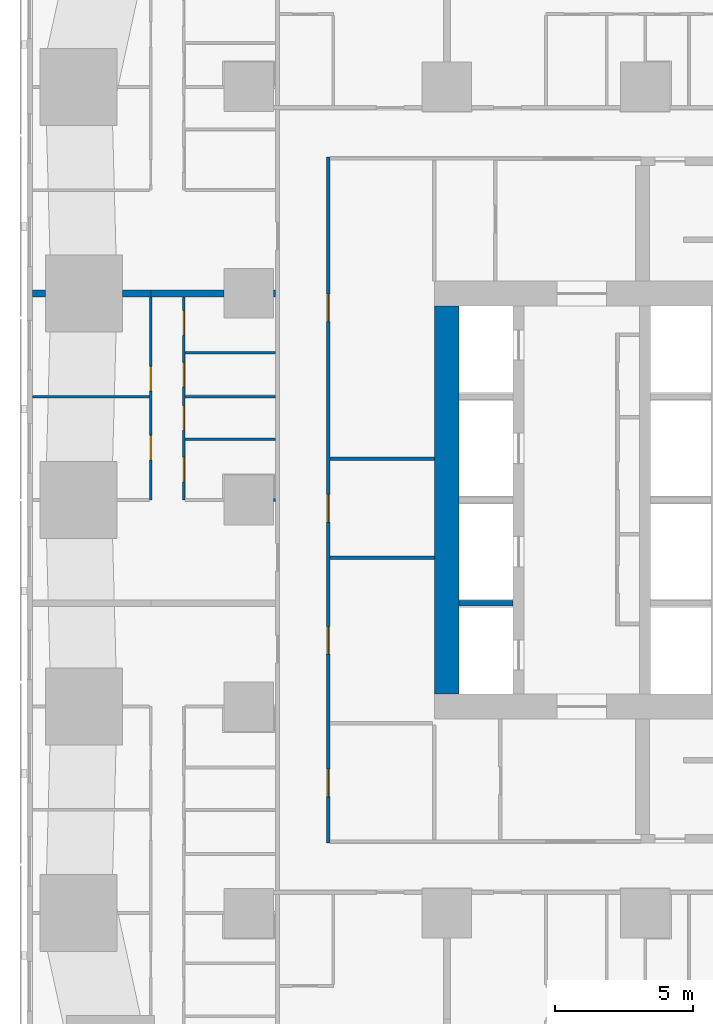
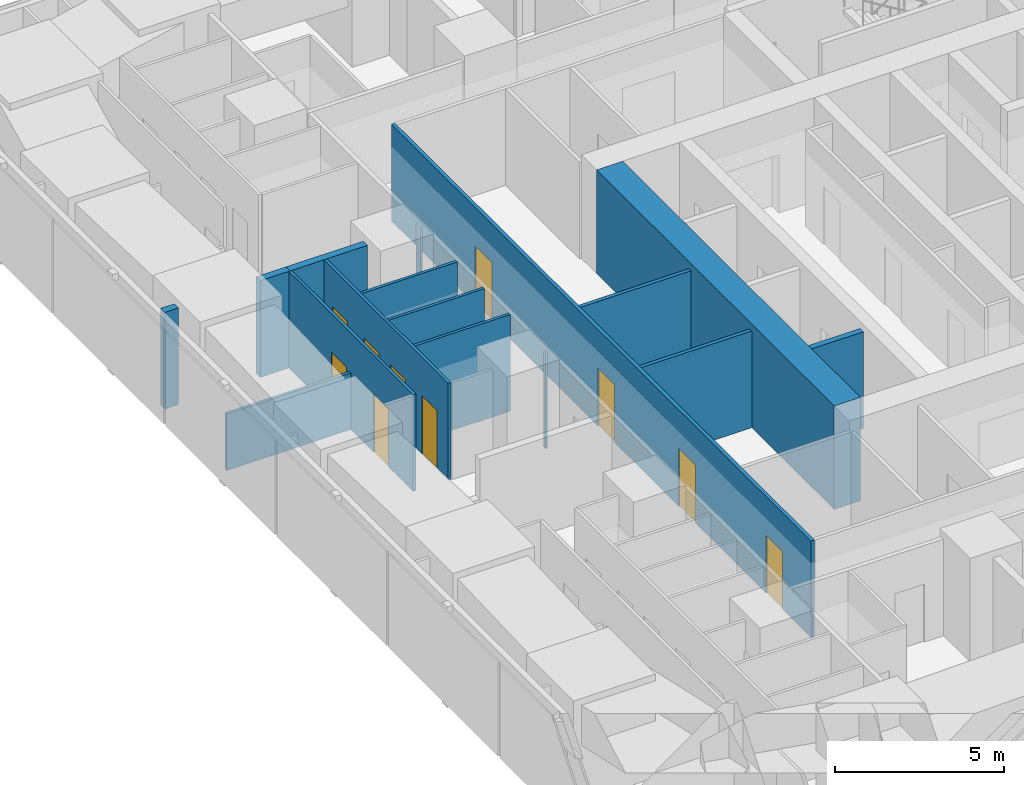
# One storey, part 7 of 18: 16 walls, 10 doors, 10 openings.
"""IFC4 building model written with IfcOpenShell, lengths in metres."""

from ifc_helpers import new_model, si_unit, direction, frame, frame_2d, origin, place, context, subcontext, project, spatial, rectangle, extrude, material, layer, layer_set, type_object, element, fill, save


model = new_model("IFC4")

# Units and contexts
model_context = context("Model", 3, precision=1e-05, world=origin(), true_north=direction((0.0, 1.0)))
body_context = subcontext(model_context, "Body", "Model", "MODEL_VIEW")
ifc_project = project(units=[si_unit("LENGTHUNIT", "METRE"), si_unit("AREAUNIT", "SQUARE_METRE"), si_unit("VOLUMEUNIT", "CUBIC_METRE"), si_unit("PLANEANGLEUNIT", "RADIAN"), si_unit("MASSUNIT", "GRAM", prefix="KILO")], contexts=[model_context])

# Site, building, storey
site_placement = place(None, origin())
site = spatial("IfcSite", under=ifc_project, at=site_placement, CompositionType="ELEMENT")
building_placement = place(site_placement, origin())
building = spatial("IfcBuilding", under=site, at=building_placement, Name="Sheger Commons Tower", CompositionType="ELEMENT")
storey_placement = place(building_placement, frame((0.0, 0.0, 35.0)))
storey = spatial("IfcBuildingStorey", under=building, at=storey_placement, Name="L08", CompositionType="ELEMENT", Elevation=35.0)

# Walls
ifc_material_1 = material(Name="Concrete C50/60", Category="concrete")
ifc_layer_1 = layer(ifc_material_1, 0.89990234375)
ifc_layer_set_1 = layer_set([ifc_layer_1], Name="CORE WALL 900")
wall_type_1 = type_object("IfcWallType", Name="CORE WALL 900", PredefinedType="SHEAR", material=ifc_layer_set_1)
wall_1_placement = place(storey_placement, frame((14.39990234375, 15.449951171875, 0.0), z_axis=(0.0, 0.0, 1.0), x_axis=(0.0, 1.0, 0.0)))
element("IfcWall", 1, at=wall_1_placement, inside=storey, type_object=wall_type_1, Name="Core wall west L08", PredefinedType="SHEAR", context=body_context, shape_type="SweptSolid", body=[
    extrude(rectangle(XDim=14.10009765625, YDim=0.89990234375, at=frame_2d((7.050048828125, 0.0))), origin(), (0.0, 0.0, 1.0), 3.75),
])
ifc_material_2 = material(Name="Dense concrete block masonry, plastered both sides (separating wall between flats)", Category="masonry")
ifc_layer_2 = layer(ifc_material_2, 0.25)
ifc_layer_set_2 = layer_set([ifc_layer_2], Name="DEMISING WALL 250")
wall_type_2 = type_object("IfcWallType", Name="DEMISING WALL 250", PredefinedType="SOLIDWALL", material=ifc_layer_set_2)
wall_2_placement = place(storey_placement, frame((-0.64990234375, 30.0, 0.0), z_axis=(0.0, 0.0, 1.0), x_axis=(1.0, 0.0, 0.0)))
element("IfcWall", 2, at=wall_2_placement, inside=storey, type_object=wall_type_2, Name="Demising wall L08", PredefinedType="SOLIDWALL", context=body_context, shape_type="SweptSolid", body=[
    extrude(rectangle(XDim=0.473876953125, YDim=0.25, at=frame_2d((0.23681640625, 0.0))), origin(), (0.0, 0.0, 1.0), 3.5),
])
wall_3_placement = place(storey_placement, frame((2.6259765625, 30.0, 0.0), z_axis=(0.0, 0.0, 1.0), x_axis=(1.0, 0.0, 0.0)))
element("IfcWall", 3, at=wall_3_placement, inside=storey, type_object=wall_type_2, Name="Demising wall L08", PredefinedType="SOLIDWALL", context=body_context, shape_type="SweptSolid", body=[
    extrude(rectangle(XDim=1.02392578125, YDim=0.25, at=frame_2d((0.511962890625, 0.0))), origin(), (0.0, 0.0, 1.0), 3.5),
])
wall_4_placement = place(storey_placement, frame((3.64990234375, 30.0, 0.0), z_axis=(0.0, 0.0, 1.0), x_axis=(1.0, 0.0, 0.0)))
element("IfcWall", 4, at=wall_4_placement, inside=storey, type_object=wall_type_2, Name="Demising wall L08", PredefinedType="SOLIDWALL", context=body_context, shape_type="SweptSolid", body=[
    extrude(rectangle(XDim=2.649169921875, YDim=0.25, at=frame_2d((1.32470703125, 0.0))), origin(), (0.0, 0.0, 1.0), 3.5),
])
wall_5_placement = place(storey_placement, frame((8.10107421875, 30.0, 0.0), z_axis=(0.0, 0.0, 1.0), x_axis=(1.0, 0.0, 0.0)))
element("IfcWall", 5, at=wall_5_placement, inside=storey, type_object=wall_type_2, Name="Demising wall L08", PredefinedType="SOLIDWALL", context=body_context, shape_type="SweptSolid", body=[
    extrude(rectangle(XDim=0.073974609375, YDim=0.25, at=frame_2d((0.037109375, 0.0))), origin(), (0.0, 0.0, 1.0), 3.5),
])

# Wall, openings, doors
ifc_material_3 = material(Name="Gypsum board on steel studs", Category="steel")
ifc_layer_3 = layer(ifc_material_3, 0.10009765625)
ifc_layer_set_3 = layer_set([ifc_layer_3], Name="PARTITION 100")
wall_type_3 = type_object("IfcWallType", Name="PARTITION 100", PredefinedType="PARTITIONING", material=ifc_layer_set_3)
wall_6_placement = place(storey_placement, frame((3.64990234375, 22.5, 0.0), z_axis=(0.0, 0.0, 1.0), x_axis=(0.0, 1.0, 0.0)))
wall_6 = element("IfcWall", 6, at=wall_6_placement, inside=storey, type_object=wall_type_3, Name="Partition L08", PredefinedType="PARTITIONING", context=body_context, shape_type="SweptSolid", body=[
    extrude(rectangle(XDim=7.375, YDim=0.10009765625, at=frame_2d((3.6875, 0.0))), origin(), (0.0, 0.0, 1.0), 3.5),
])
opening_1_placement = place(wall_6_placement, frame((1.449951171875, 0.0, 0.0)))
opening_1 = element("IfcOpeningElement", 7, at=opening_1_placement, cuts=wall_6, Name="Opening D2", PredefinedType="OPENING", context=body_context, shape_type="SweptSolid", body=[
    extrude(rectangle(XDim=0.89990234375, YDim=2.10009765625, at=frame_2d((0.449951171875, 1.050048828125))), frame((0.0, 0.06005859375, 0.0), z_axis=(0.0, -1.0, 0.0), x_axis=(1.0, 0.0, 0.0)), (0.0, 0.0, 1.0), 0.1201171875),
])
opening_2_placement = place(wall_6_placement, frame((3.949951171875, 0.0, 0.0)))
opening_2 = element("IfcOpeningElement", 8, at=opening_2_placement, cuts=wall_6, Name="Opening D2", PredefinedType="OPENING", context=body_context, shape_type="SweptSolid", body=[
    extrude(rectangle(XDim=0.89990234375, YDim=2.10009765625, at=frame_2d((0.449951171875, 1.050048828125))), frame((0.0, 0.06005859375, 0.0), z_axis=(0.0, -1.0, 0.0), x_axis=(1.0, 0.0, 0.0)), (0.0, 0.0, 1.0), 0.1201171875),
])
ifc_material_4 = material(Name="Timber door set", Category="wood")
door_type_1 = type_object("IfcDoorType", Name="INTERNAL DOOR 900x2100", OperationType="NOTDEFINED", PredefinedType="DOOR", material=ifc_material_4)
door_1_placement = place(opening_1_placement, origin())
door_1 = element("IfcDoor", 9, at=door_1_placement, inside=storey, type_object=door_type_1, Name="Main bedroom door", OperationType="SINGLE_SWING_LEFT", OverallHeight=2.10009765625, OverallWidth=0.89990234375, PredefinedType="DOOR", context=body_context, shape_type="SweptSolid", body=[
    extrude(rectangle(XDim=0.89990234375, YDim=2.10009765625, at=frame_2d((0.449951171875, 1.050048828125))), frame((0.0, 0.02490234375, 0.0), z_axis=(0.0, -1.0, 0.0), x_axis=(1.0, 0.0, 0.0)), (0.0, 0.0, 1.0), 0.050048828125),
])
fill(opening_1, door_1)
door_2_placement = place(opening_2_placement, origin())
door_2 = element("IfcDoor", 10, at=door_2_placement, inside=storey, type_object=door_type_1, Name="Bedroom 2 door", OperationType="SINGLE_SWING_LEFT", OverallHeight=2.10009765625, OverallWidth=0.89990234375, PredefinedType="DOOR", context=body_context, shape_type="SweptSolid", body=[
    extrude(rectangle(XDim=0.89990234375, YDim=2.10009765625, at=frame_2d((0.449951171875, 1.050048828125))), frame((0.0, 0.02490234375, 0.0), z_axis=(0.0, -1.0, 0.0), x_axis=(1.0, 0.0, 0.0)), (0.0, 0.0, 1.0), 0.050048828125),
])
fill(opening_2, door_2)

wall_7_placement = place(storey_placement, frame((4.85009765625, 22.5, 0.0), z_axis=(0.0, 0.0, 1.0), x_axis=(0.0, 1.0, 0.0)))
wall_7 = element("IfcWall", 11, at=wall_7_placement, inside=storey, type_object=wall_type_3, Name="Partition L08", PredefinedType="PARTITIONING", context=body_context, shape_type="SweptSolid", body=[
    extrude(rectangle(XDim=7.375, YDim=0.10009765625, at=frame_2d((3.6875, 0.0))), origin(), (0.0, 0.0, 1.0), 3.5),
])
opening_3_placement = place(wall_7_placement, frame((0.655029296875, 0.0, 0.0)))
opening_3 = element("IfcOpeningElement", 12, at=opening_3_placement, cuts=wall_7, Name="Opening D2", PredefinedType="OPENING", context=body_context, shape_type="SweptSolid", body=[
    extrude(rectangle(XDim=0.89990234375, YDim=2.10009765625, at=frame_2d((0.449951171875, 1.050048828125))), frame((0.0, 0.06005859375, 0.0), z_axis=(0.0, -1.0, 0.0), x_axis=(1.0, 0.0, 0.0)), (0.0, 0.0, 1.0), 0.1201171875),
])
opening_4_placement = place(wall_7_placement, frame((4.10009765625, 0.0, 0.0)))
opening_4 = element("IfcOpeningElement", 13, at=opening_4_placement, cuts=wall_7, Name="Opening D2", PredefinedType="OPENING", context=body_context, shape_type="SweptSolid", body=[
    extrude(rectangle(XDim=0.89990234375, YDim=2.10009765625, at=frame_2d((0.449951171875, 1.050048828125))), frame((0.0, 0.06005859375, 0.0), z_axis=(0.0, -1.0, 0.0), x_axis=(1.0, 0.0, 0.0)), (0.0, 0.0, 1.0), 0.1201171875),
])
opening_5_placement = place(wall_7_placement, frame((2.530029296875, 0.0, 0.0)))
opening_5 = element("IfcOpeningElement", 14, at=opening_5_placement, cuts=wall_7, Name="Opening D2", PredefinedType="OPENING", context=body_context, shape_type="SweptSolid", body=[
    extrude(rectangle(XDim=0.89990234375, YDim=2.10009765625, at=frame_2d((0.449951171875, 1.050048828125))), frame((0.0, 0.06005859375, 0.0), z_axis=(0.0, -1.0, 0.0), x_axis=(1.0, 0.0, 0.0)), (0.0, 0.0, 1.0), 0.1201171875),
])
opening_6_placement = place(wall_7_placement, frame((5.97509765625, 0.0, 0.0)))
opening_6 = element("IfcOpeningElement", 15, at=opening_6_placement, cuts=wall_7, Name="Opening D2", PredefinedType="OPENING", context=body_context, shape_type="SweptSolid", body=[
    extrude(rectangle(XDim=0.89990234375, YDim=2.10009765625, at=frame_2d((0.449951171875, 1.050048828125))), frame((0.0, 0.06005859375, 0.0), z_axis=(0.0, -1.0, 0.0), x_axis=(1.0, 0.0, 0.0)), (0.0, 0.0, 1.0), 0.1201171875),
])
door_3_placement = place(opening_3_placement, origin())
door_3 = element("IfcDoor", 16, at=door_3_placement, inside=storey, type_object=door_type_1, Name="Bathroom door", OperationType="SINGLE_SWING_RIGHT", OverallHeight=2.10009765625, OverallWidth=0.89990234375, PredefinedType="DOOR", context=body_context, shape_type="SweptSolid", body=[
    extrude(rectangle(XDim=0.89990234375, YDim=2.10009765625, at=frame_2d((0.449951171875, 1.050048828125))), frame((0.0, 0.02490234375, 0.0), z_axis=(0.0, -1.0, 0.0), x_axis=(1.0, 0.0, 0.0)), (0.0, 0.0, 1.0), 0.050048828125),
])
fill(opening_3, door_3)
door_4_placement = place(opening_4_placement, origin())
door_4 = element("IfcDoor", 17, at=door_4_placement, inside=storey, type_object=door_type_1, Name="Shower room door", OperationType="SINGLE_SWING_RIGHT", OverallHeight=2.10009765625, OverallWidth=0.89990234375, PredefinedType="DOOR", context=body_context, shape_type="SweptSolid", body=[
    extrude(rectangle(XDim=0.89990234375, YDim=2.10009765625, at=frame_2d((0.449951171875, 1.050048828125))), frame((0.0, 0.02490234375, 0.0), z_axis=(0.0, -1.0, 0.0), x_axis=(1.0, 0.0, 0.0)), (0.0, 0.0, 1.0), 0.050048828125),
])
fill(opening_4, door_4)
door_5_placement = place(opening_5_placement, origin())
door_5 = element("IfcDoor", 18, at=door_5_placement, inside=storey, type_object=door_type_1, Name="Store door", OperationType="SINGLE_SWING_RIGHT", OverallHeight=2.10009765625, OverallWidth=0.89990234375, PredefinedType="DOOR", context=body_context, shape_type="SweptSolid", body=[
    extrude(rectangle(XDim=0.89990234375, YDim=2.10009765625, at=frame_2d((0.449951171875, 1.050048828125))), frame((0.0, 0.02490234375, 0.0), z_axis=(0.0, -1.0, 0.0), x_axis=(1.0, 0.0, 0.0)), (0.0, 0.0, 1.0), 0.050048828125),
])
fill(opening_5, door_5)
door_6_placement = place(opening_6_placement, origin())
door_6 = element("IfcDoor", 19, at=door_6_placement, inside=storey, type_object=door_type_1, Name="Store door", OperationType="SINGLE_SWING_LEFT", OverallHeight=2.10009765625, OverallWidth=0.89990234375, PredefinedType="DOOR", context=body_context, shape_type="SweptSolid", body=[
    extrude(rectangle(XDim=0.89990234375, YDim=2.10009765625, at=frame_2d((0.449951171875, 1.050048828125))), frame((0.0, 0.02490234375, 0.0), z_axis=(0.0, -1.0, 0.0), x_axis=(1.0, 0.0, 0.0)), (0.0, 0.0, 1.0), 0.050048828125),
])
fill(opening_6, door_6)

# Walls
wall_8_placement = place(storey_placement, frame((-0.64990234375, 26.25, 0.0), z_axis=(0.0, 0.0, 1.0), x_axis=(1.0, 0.0, 0.0)))
element("IfcWall", 20, at=wall_8_placement, inside=storey, type_object=wall_type_3, Name="Partition L08", PredefinedType="PARTITIONING", context=body_context, shape_type="SweptSolid", body=[
    extrude(rectangle(XDim=4.25, YDim=0.10009765625, at=frame_2d((2.125, 0.0))), origin(), (0.0, 0.0, 1.0), 2.050048828125),
])
wall_9_placement = place(storey_placement, frame((8.10107421875, 22.5, 0.0), z_axis=(0.0, 0.0, 1.0), x_axis=(1.0, 0.0, 0.0)))
element("IfcWall", 21, at=wall_9_placement, inside=storey, type_object=wall_type_3, Name="Partition L08", PredefinedType="PARTITIONING", context=body_context, shape_type="SweptSolid", body=[
    extrude(rectangle(XDim=0.073974609375, YDim=0.10009765625, at=frame_2d((0.037109375, 0.0))), origin(), (0.0, 0.0, 1.0), 3.5),
])
for number, where, z_axis, x_axis, name in (
    (22, (4.89990234375, 26.25, 0.0), (0.0, 0.0, 1.0), (1.0, 0.0, 0.0), "Partition L08"),
    (23, (4.89990234375, 24.7099609375, 0.0), (0.0, 0.0, 1.0), (1.0, 0.0, 0.0), "Partition L08"),
    (24, (4.89990234375, 27.85009765625, 0.0), (0.0, 0.0, 1.0), (1.0, 0.0, 0.0), "Partition L08"),
):
    element("IfcWall", number, at=place(storey_placement, frame(where, z_axis=z_axis, x_axis=x_axis)), inside=storey, type_object=wall_type_3, Name=name, PredefinedType="PARTITIONING", context=body_context, shape_type="SweptSolid", body=[
        extrude(rectangle(XDim=3.275146484375, YDim=0.10009765625, at=frame_2d((1.6376953125, 0.0))), origin(), (0.0, 0.0, 1.0), 3.5),
    ])

# Wall, openings, doors
ifc_material_5 = material(Name="Gypsum board on steel studs, two layers each side, fire rated", Category="steel")
ifc_layer_4 = layer(ifc_material_5, 0.125)
ifc_layer_set_4 = layer_set([ifc_layer_4], Name="SERVICE WALL 125")
wall_type_4 = type_object("IfcWallType", Name="SERVICE WALL 125", PredefinedType="PARTITIONING", material=ifc_layer_set_4)
wall_10_placement = place(storey_placement, frame((10.10009765625, 10.050048828125, 0.0), z_axis=(0.0, 0.0, 1.0), x_axis=(0.0, 1.0, 0.0)))
wall_10 = element("IfcWall", 25, at=wall_10_placement, inside=storey, type_object=wall_type_4, Name="Service room wall L08", PredefinedType="PARTITIONING", context=body_context, shape_type="SweptSolid", body=[
    extrude(rectangle(XDim=24.89990234375, YDim=0.125, at=frame_2d((12.449951171875, 0.0))), origin(), (0.0, 0.0, 1.0), 3.5),
])
opening_7_placement = place(wall_10_placement, frame((1.675048828125, 0.0, 0.0)))
opening_7 = element("IfcOpeningElement", 26, at=opening_7_placement, cuts=wall_10, Name="Opening D4", PredefinedType="OPENING", context=body_context, shape_type="SweptSolid", body=[
    extrude(rectangle(XDim=1.0, YDim=2.10009765625, at=frame_2d((0.5, 1.050048828125))), frame((0.0, 0.072509765625, 0.0), z_axis=(0.0, -1.0, 0.0), x_axis=(1.0, 0.0, 0.0)), (0.0, 0.0, 1.0), 0.14501953125),
])
opening_8_placement = place(wall_10_placement, frame((6.85009765625, 0.0, 0.0)))
opening_8 = element("IfcOpeningElement", 27, at=opening_8_placement, cuts=wall_10, Name="Opening D4", PredefinedType="OPENING", context=body_context, shape_type="SweptSolid", body=[
    extrude(rectangle(XDim=1.0, YDim=2.10009765625, at=frame_2d((0.5, 1.050048828125))), frame((0.0, 0.072509765625, 0.0), z_axis=(0.0, -1.0, 0.0), x_axis=(1.0, 0.0, 0.0)), (0.0, 0.0, 1.0), 0.14501953125),
])
opening_9_placement = place(wall_10_placement, frame((11.64990234375, 0.0, 0.0)))
opening_9 = element("IfcOpeningElement", 28, at=opening_9_placement, cuts=wall_10, Name="Opening D4", PredefinedType="OPENING", context=body_context, shape_type="SweptSolid", body=[
    extrude(rectangle(XDim=1.0, YDim=2.10009765625, at=frame_2d((0.5, 1.050048828125))), frame((0.0, 0.072509765625, 0.0), z_axis=(0.0, -1.0, 0.0), x_axis=(1.0, 0.0, 0.0)), (0.0, 0.0, 1.0), 0.14501953125),
])
opening_10_placement = place(wall_10_placement, frame((18.925048828125, 0.0, 0.0)))
opening_10 = element("IfcOpeningElement", 29, at=opening_10_placement, cuts=wall_10, Name="Opening D4", PredefinedType="OPENING", context=body_context, shape_type="SweptSolid", body=[
    extrude(rectangle(XDim=1.0, YDim=2.10009765625, at=frame_2d((0.5, 1.050048828125))), frame((0.0, 0.072509765625, 0.0), z_axis=(0.0, -1.0, 0.0), x_axis=(1.0, 0.0, 0.0)), (0.0, 0.0, 1.0), 0.14501953125),
])
ifc_material_6 = material(Name="Steel door set, fire rated", Category="steel")
door_type_2 = type_object("IfcDoorType", Name="SERVICE DOOR 1000x2100", OperationType="NOTDEFINED", PredefinedType="DOOR", material=ifc_material_6)
door_7_placement = place(opening_7_placement, origin())
door_7 = element("IfcDoor", 30, at=door_7_placement, inside=storey, type_object=door_type_2, Name="Refuse chute room door", OperationType="SINGLE_SWING_RIGHT", OverallHeight=2.10009765625, OverallWidth=1.0, PredefinedType="DOOR", context=body_context, shape_type="SweptSolid", body=[
    extrude(rectangle(XDim=1.0, YDim=2.10009765625, at=frame_2d((0.5, 1.050048828125))), frame((0.0, 0.02490234375, 0.0), z_axis=(0.0, -1.0, 0.0), x_axis=(1.0, 0.0, 0.0)), (0.0, 0.0, 1.0), 0.050048828125),
])
fill(opening_7, door_7)
door_8_placement = place(opening_8_placement, origin())
door_8 = element("IfcDoor", 31, at=door_8_placement, inside=storey, type_object=door_type_2, Name="Parcel and delivery room door", OperationType="SINGLE_SWING_RIGHT", OverallHeight=2.10009765625, OverallWidth=1.0, PredefinedType="DOOR", context=body_context, shape_type="SweptSolid", body=[
    extrude(rectangle(XDim=1.0, YDim=2.10009765625, at=frame_2d((0.5, 1.050048828125))), frame((0.0, 0.02490234375, 0.0), z_axis=(0.0, -1.0, 0.0), x_axis=(1.0, 0.0, 0.0)), (0.0, 0.0, 1.0), 0.050048828125),
])
fill(opening_8, door_8)
door_9_placement = place(opening_9_placement, origin())
door_9 = element("IfcDoor", 32, at=door_9_placement, inside=storey, type_object=door_type_2, Name="Cleaner's store door", OperationType="SINGLE_SWING_RIGHT", OverallHeight=2.10009765625, OverallWidth=1.0, PredefinedType="DOOR", context=body_context, shape_type="SweptSolid", body=[
    extrude(rectangle(XDim=1.0, YDim=2.10009765625, at=frame_2d((0.5, 1.050048828125))), frame((0.0, 0.02490234375, 0.0), z_axis=(0.0, -1.0, 0.0), x_axis=(1.0, 0.0, 0.0)), (0.0, 0.0, 1.0), 0.050048828125),
])
fill(opening_9, door_9)
door_10_placement = place(opening_10_placement, origin())
door_10 = element("IfcDoor", 33, at=door_10_placement, inside=storey, type_object=door_type_2, Name="Residents' gym door", OperationType="SINGLE_SWING_LEFT", OverallHeight=2.10009765625, OverallWidth=1.0, PredefinedType="DOOR", context=body_context, shape_type="SweptSolid", body=[
    extrude(rectangle(XDim=1.0, YDim=2.10009765625, at=frame_2d((0.5, 1.050048828125))), frame((0.0, 0.02490234375, 0.0), z_axis=(0.0, -1.0, 0.0), x_axis=(1.0, 0.0, 0.0)), (0.0, 0.0, 1.0), 0.050048828125),
])
fill(opening_10, door_10)

# Walls
for number, where, z_axis, x_axis, name in (
    (34, (10.1630859375, 20.39990234375, 0.0), (0.0, 0.0, 1.0), (1.0, 0.0, 0.0), "Service room wall L08"),
    (35, (10.1630859375, 24.0, 0.0), (0.0, 0.0, 1.0), (1.0, 0.0, 0.0), "Service room wall L08"),
):
    element("IfcWall", number, at=place(storey_placement, frame(where, z_axis=z_axis, x_axis=x_axis)), inside=storey, type_object=wall_type_4, Name=name, PredefinedType="PARTITIONING", context=body_context, shape_type="SweptSolid", body=[
        extrude(rectangle(XDim=3.786865234375, YDim=0.125, at=frame_2d((1.8935546875, 0.0))), origin(), (0.0, 0.0, 1.0), 3.5),
    ])
ifc_material_7 = material(Name="Hollow concrete block masonry", Category="masonry")
ifc_layer_5 = layer(ifc_material_7, 0.199951171875)
ifc_layer_set_5 = layer_set([ifc_layer_5], Name="SHAFT WALL 200")
wall_type_5 = type_object("IfcWallType", Name="SHAFT WALL 200", PredefinedType="SOLIDWALL", material=ifc_layer_set_5)
wall_11_placement = place(storey_placement, frame((14.85009765625, 18.75, 0.0), z_axis=(0.0, 0.0, 1.0), x_axis=(1.0, 0.0, 0.0)))
element("IfcWall", 36, at=wall_11_placement, inside=storey, type_object=wall_type_5, Name="Lift shaft wall L08", PredefinedType="SOLIDWALL", context=body_context, shape_type="SweptSolid", body=[
    extrude(rectangle(XDim=1.949951171875, YDim=0.199951171875, at=frame_2d((0.97509765625, 0.0))), origin(), (0.0, 0.0, 1.0), 3.5),
])

save(model, "model.ifc")
